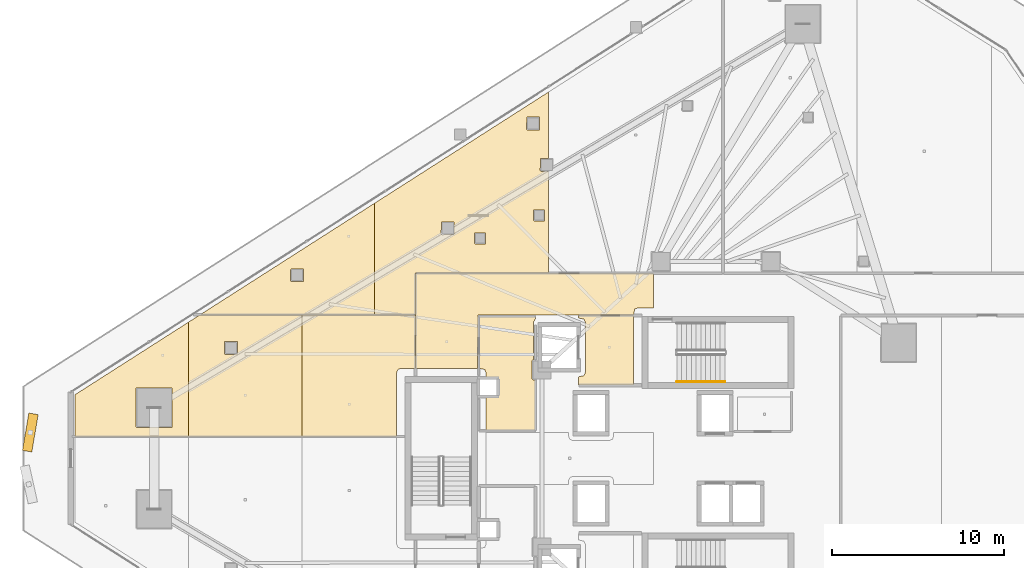
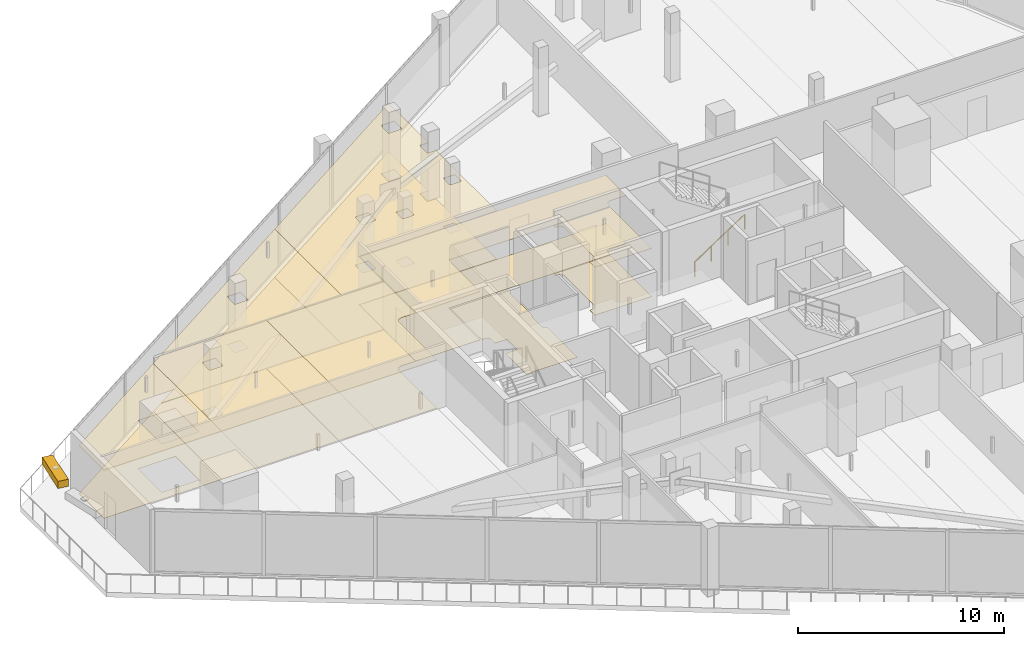
# One storey, part 43 of 45: 15 coverings, 1 railing, 1 shading device.
"""IFC4 building model written with IfcOpenShell, lengths in metres."""

from ifc_helpers import new_model, si_unit, direction, frame, origin, origin_2d, place, context, subcontext, project, spatial, polyline, rectangle, circle, outline, extrude, material, layer, layer_set, type_object, element, save


model = new_model("IFC4")

# Units and contexts
model_context = context("Model", 3, precision=1e-05, world=origin(), true_north=direction((0.0, 1.0)))
body_context = subcontext(model_context, "Body", "Model", "MODEL_VIEW")
ifc_project = project(units=[si_unit("LENGTHUNIT", "METRE"), si_unit("AREAUNIT", "SQUARE_METRE"), si_unit("VOLUMEUNIT", "CUBIC_METRE"), si_unit("PLANEANGLEUNIT", "RADIAN"), si_unit("MASSUNIT", "GRAM", prefix="KILO")], contexts=[model_context])

# Site, building, storey
site_placement = place(None, origin())
site = spatial("IfcSite", under=ifc_project, at=site_placement, CompositionType="ELEMENT")
building_placement = place(site_placement, origin())
building = spatial("IfcBuilding", under=site, at=building_placement, Name="Qorvath Tower", CompositionType="ELEMENT")
storey_placement = place(building_placement, frame((0.0, 0.0, 126.0)))
storey = spatial("IfcBuildingStorey", under=building, at=storey_placement, Name="L28", CompositionType="ELEMENT", Elevation=126.0)

# Coverings
ifc_material_1 = material(Name="Acoustic mineral fibre ceiling tile", Category="gypsum")
ifc_layer_1 = layer(ifc_material_1, 0.030029296875)
ifc_layer_set_1 = layer_set([ifc_layer_1], Name="COV-CEIL")
covering_type_1 = type_object("IfcCoveringType", Name="COV-CEIL", PredefinedType="CEILING", material=ifc_layer_set_1)
covering_1_placement = place(storey_placement, frame((0.0, 0.0, 2.85009765625)))
element("IfcCovering", 1, at=covering_1_placement, inside=storey, type_object=covering_type_1, Name="L28 Suspended Acoustic Ceiling 001", PredefinedType="CEILING", context=body_context, shape_type="SweptSolid", body=[
    extrude(outline(polyline([(-25.18994140625, 4.2548828125), (-25.18994140625, 8.294921875), (-28.375, 8.294921875), (-28.375, 8.159912109375), (-28.063232421875, 8.086669921875), (-27.989990234375, 7.909912109375), (-27.989990234375, 4.989990234375), (-28.063232421875, 4.813232421875), (-28.375, 4.739990234375), (-28.375, 4.2548828125), (-25.18994140625, 4.2548828125)])), origin(), (0.0, 0.0, 1.0), 0.030029296875),
])
covering_2_placement = place(storey_placement, frame((0.0, 0.0, 2.85009765625)))
element("IfcCovering", 2, at=covering_2_placement, inside=storey, type_object=covering_type_1, Name="L28 Suspended Acoustic Ceiling 007", PredefinedType="CEILING", context=body_context, shape_type="SweptSolid", body=[
    extrude(outline(polyline([(-24.02001953125, 8.75), (-24.02001953125, 10.7451171875), (-37.844970703125, 10.7451171875), (-37.844970703125, 5.239990234375), (-34.2509765625, 5.239990234375), (-34.219970703125, 8.324951171875), (-25.18994140625, 8.324951171875), (-25.11669921875, 8.6767578125), (-24.93994140625, 8.75), (-24.02001953125, 8.75)])), origin(), (0.0, 0.0, 1.0), 0.030029296875),
])
covering_3_placement = place(storey_placement, frame((0.0, 0.0, 2.85009765625)))
element("IfcCovering", 3, at=covering_3_placement, inside=storey, type_object=covering_type_1, Name="L28 Suspended Acoustic Ceiling 009", PredefinedType="CEILING", context=body_context, shape_type="SweptSolid", body=[
    extrude(outline(polyline([(-40.242431640625, 8.35498046875), (-40.242431640625, 14.824462890625), (-50.364990234375, 8.35498046875), (-40.242431640625, 8.35498046875)]), holes=[polyline([(-45.121337890625, 10.327392578125), (-45.103759765625, 11.019775390625), (-44.368896484375, 11.019775390625), (-44.368896484375, 10.284912109375), (-45.061279296875, 10.267333984375), (-45.121337890625, 10.327392578125)])]), origin(), (0.0, 0.0, 1.0), 0.030029296875),
])
covering_4_placement = place(storey_placement, frame((0.0, 0.0, 2.85009765625)))
element("IfcCovering", 4, at=covering_4_placement, inside=storey, type_object=covering_type_1, Name="L28 Suspended Acoustic Ceiling 010", PredefinedType="CEILING", context=body_context, shape_type="SweptSolid", body=[
    extrude(outline(polyline([(-30.1201171875, 10.762939453125), (-30.1201171875, 16.685546875), (-30.5498046875, 16.674560546875), (-30.60986328125, 16.734619140625), (-30.59228515625, 17.427001953125), (-30.1201171875, 17.427001953125), (-30.1201171875, 21.294189453125), (-40.242431640625, 14.824462890625), (-40.242431640625, 8.35498046875), (-37.863037109375, 8.35498046875), (-37.85791015625, 10.762939453125), (-30.1201171875, 10.762939453125)]), holes=[polyline([(-31.01220703125, 13.849365234375), (-30.99462890625, 14.441650390625), (-30.35986328125, 14.441650390625), (-30.35986328125, 13.806884765625), (-30.9521484375, 13.789306640625), (-31.01220703125, 13.849365234375)]), polyline([(-31.401123046875, 19.135498046875), (-31.383544921875, 19.827880859375), (-30.648681640625, 19.827880859375), (-30.648681640625, 19.093017578125), (-31.341064453125, 19.075439453125), (-31.401123046875, 19.135498046875)]), polyline([(-34.439208984375, 12.517578125), (-34.421630859375, 13.10986328125), (-33.786865234375, 13.10986328125), (-33.786865234375, 12.47509765625), (-34.379150390625, 12.45751953125), (-34.439208984375, 12.517578125)]), polyline([(-36.36572265625, 13.055908203125), (-36.34814453125, 13.748291015625), (-35.61328125, 13.748291015625), (-35.61328125, 13.013427734375), (-36.3056640625, 12.995849609375), (-36.36572265625, 13.055908203125)])]), origin(), (0.0, 0.0, 1.0), 0.030029296875),
])
covering_5_placement = place(storey_placement, frame((0.0, 0.0, 2.85009765625)))
element("IfcCovering", 5, at=covering_5_placement, inside=storey, type_object=covering_type_1, Name="L28 Suspended Acoustic Ceiling 031", PredefinedType="CEILING", context=body_context, shape_type="SweptSolid", body=[
    extrude(outline(polyline([(-51.043701171875, 1.28515625), (-51.043701171875, 7.921142578125), (-57.634033203125, 3.708984375), (-57.634033203125, 1.285400390625), (-51.043701171875, 1.28515625)]), holes=[polyline([(-54.109375, 1.850830078125), (-54.091796875, 4.09326171875), (-52.007080078125, 4.09326171875), (-52.007080078125, 1.808349609375), (-54.04931640625, 1.790771484375), (-54.109375, 1.850830078125)])]), origin(), (0.0, 0.0, 1.0), 0.030029296875),
])
covering_6_placement = place(storey_placement, frame((0.0, 0.0, 2.85009765625)))
element("IfcCovering", 6, at=covering_6_placement, inside=storey, type_object=covering_type_1, Name="L28 Suspended Acoustic Ceiling 032", PredefinedType="CEILING", context=body_context, shape_type="SweptSolid", body=[
    extrude(outline(polyline([(-44.453369140625, 1.284912109375), (-44.453369140625, 8.3369140625), (-50.39306640625, 8.3369140625), (-51.043701171875, 7.921142578125), (-51.043701171875, 1.28515625), (-44.453369140625, 1.284912109375)]), holes=[polyline([(-48.96337890625, 6.099609375), (-48.94580078125, 6.7919921875), (-48.2109375, 6.7919921875), (-48.2109375, 6.05712890625), (-48.9033203125, 6.03955078125), (-48.96337890625, 6.099609375)])]), origin(), (0.0, 0.0, 1.0), 0.030029296875),
])
covering_7_placement = place(storey_placement, frame((0.0, 0.0, 2.85009765625)))
element("IfcCovering", 7, at=covering_7_placement, inside=storey, type_object=covering_type_1, Name="L28 Suspended Acoustic Ceiling 033", PredefinedType="CEILING", context=body_context, shape_type="SweptSolid", body=[
    extrude(outline(polyline([(-37.863037109375, 5.239990234375), (-37.863037109375, 8.3369140625), (-44.453369140625, 8.3369140625), (-44.453369140625, 1.284912109375), (-38.949951171875, 1.28466796875), (-38.949951171875, 4.989990234375), (-38.876708984375, 5.166748046875), (-38.699951171875, 5.239990234375), (-37.863037109375, 5.239990234375)])), origin(), (0.0, 0.0, 1.0), 0.030029296875),
])
ifc_material_2 = material(Name="Low-VOC modular carpet tile", Category="textile")
ifc_layer_2 = layer(ifc_material_2, 0.014892578125)
ifc_layer_set_2 = layer_set([ifc_layer_2], Name="COV-FLOOR-CPT")
covering_type_2 = type_object("IfcCoveringType", Name="COV-FLOOR-CPT", PredefinedType="FLOORING", material=ifc_layer_set_2)
covering_8_placement = place(storey_placement, origin())
element("IfcCovering", 8, at=covering_8_placement, inside=storey, type_object=covering_type_2, Name="L28 Floor Finish 009", PredefinedType="FLOORING", context=body_context, shape_type="SweptSolid", body=[
    extrude(outline(polyline([(-40.242431640625, 8.35498046875), (-40.242431640625, 14.824462890625), (-50.364990234375, 8.35498046875), (-40.242431640625, 8.35498046875)]), holes=[polyline([(-45.121337890625, 10.327392578125), (-45.103759765625, 11.019775390625), (-44.368896484375, 11.019775390625), (-44.368896484375, 10.284912109375), (-45.061279296875, 10.267333984375), (-45.121337890625, 10.327392578125)])]), origin(), (0.0, 0.0, 1.0), 0.014892578125),
])
covering_9_placement = place(storey_placement, origin())
element("IfcCovering", 9, at=covering_9_placement, inside=storey, type_object=covering_type_2, Name="L28 Floor Finish 010", PredefinedType="FLOORING", context=body_context, shape_type="SweptSolid", body=[
    extrude(outline(polyline([(-30.1201171875, 10.762939453125), (-30.1201171875, 16.685546875), (-30.5498046875, 16.674560546875), (-30.60986328125, 16.734619140625), (-30.59228515625, 17.427001953125), (-30.1201171875, 17.427001953125), (-30.1201171875, 21.294189453125), (-40.242431640625, 14.824462890625), (-40.242431640625, 8.35498046875), (-37.863037109375, 8.35498046875), (-37.85791015625, 10.762939453125), (-30.1201171875, 10.762939453125)]), holes=[polyline([(-31.01220703125, 13.849365234375), (-30.99462890625, 14.441650390625), (-30.35986328125, 14.441650390625), (-30.35986328125, 13.806884765625), (-30.9521484375, 13.789306640625), (-31.01220703125, 13.849365234375)]), polyline([(-31.401123046875, 19.135498046875), (-31.383544921875, 19.827880859375), (-30.648681640625, 19.827880859375), (-30.648681640625, 19.093017578125), (-31.341064453125, 19.075439453125), (-31.401123046875, 19.135498046875)]), polyline([(-34.439208984375, 12.517578125), (-34.421630859375, 13.10986328125), (-33.786865234375, 13.10986328125), (-33.786865234375, 12.47509765625), (-34.379150390625, 12.45751953125), (-34.439208984375, 12.517578125)]), polyline([(-36.36572265625, 13.055908203125), (-36.34814453125, 13.748291015625), (-35.61328125, 13.748291015625), (-35.61328125, 13.013427734375), (-36.3056640625, 12.995849609375), (-36.36572265625, 13.055908203125)])]), origin(), (0.0, 0.0, 1.0), 0.014892578125),
])
covering_10_placement = place(storey_placement, origin())
element("IfcCovering", 10, at=covering_10_placement, inside=storey, type_object=covering_type_2, Name="L28 Floor Finish 031", PredefinedType="FLOORING", context=body_context, shape_type="SweptSolid", body=[
    extrude(outline(polyline([(-51.043701171875, 1.28515625), (-51.043701171875, 7.921142578125), (-57.634033203125, 3.708984375), (-57.634033203125, 1.285400390625), (-51.043701171875, 1.28515625)]), holes=[polyline([(-54.109375, 1.850830078125), (-54.091796875, 4.09326171875), (-52.007080078125, 4.09326171875), (-52.007080078125, 1.808349609375), (-54.04931640625, 1.790771484375), (-54.109375, 1.850830078125)])]), origin(), (0.0, 0.0, 1.0), 0.014892578125),
])
covering_11_placement = place(storey_placement, origin())
element("IfcCovering", 11, at=covering_11_placement, inside=storey, type_object=covering_type_2, Name="L28 Floor Finish 032", PredefinedType="FLOORING", context=body_context, shape_type="SweptSolid", body=[
    extrude(outline(polyline([(-44.453369140625, 1.284912109375), (-44.453369140625, 8.3369140625), (-50.39306640625, 8.3369140625), (-51.043701171875, 7.921142578125), (-51.043701171875, 1.28515625), (-44.453369140625, 1.284912109375)]), holes=[polyline([(-48.96337890625, 6.099609375), (-48.94580078125, 6.7919921875), (-48.2109375, 6.7919921875), (-48.2109375, 6.05712890625), (-48.9033203125, 6.03955078125), (-48.96337890625, 6.099609375)])]), origin(), (0.0, 0.0, 1.0), 0.014892578125),
])
covering_12_placement = place(storey_placement, origin())
element("IfcCovering", 12, at=covering_12_placement, inside=storey, type_object=covering_type_2, Name="L28 Floor Finish 033", PredefinedType="FLOORING", context=body_context, shape_type="SweptSolid", body=[
    extrude(outline(polyline([(-37.863037109375, 5.239990234375), (-37.863037109375, 8.3369140625), (-44.453369140625, 8.3369140625), (-44.453369140625, 1.284912109375), (-38.949951171875, 1.28466796875), (-38.949951171875, 4.989990234375), (-38.876708984375, 5.166748046875), (-38.699951171875, 5.239990234375), (-37.863037109375, 5.239990234375)])), origin(), (0.0, 0.0, 1.0), 0.014892578125),
])
ifc_material_3 = material(Name="Polished epoxy terrazzo flooring", Category="concrete")
ifc_layer_3 = layer(ifc_material_3, 0.02001953125)
ifc_layer_set_3 = layer_set([ifc_layer_3], Name="COV-FLOOR-TRZ")
covering_type_3 = type_object("IfcCoveringType", Name="COV-FLOOR-TRZ", PredefinedType="FLOORING", material=ifc_layer_set_3)
covering_13_placement = place(storey_placement, origin())
element("IfcCovering", 13, at=covering_13_placement, inside=storey, type_object=covering_type_3, Name="L28 Floor Finish 001", PredefinedType="FLOORING", context=body_context, shape_type="SweptSolid", body=[
    extrude(outline(polyline([(-25.18994140625, 4.2548828125), (-25.18994140625, 8.294921875), (-28.375, 8.294921875), (-28.375, 8.159912109375), (-28.063232421875, 8.086669921875), (-27.989990234375, 7.909912109375), (-27.989990234375, 4.989990234375), (-28.063232421875, 4.813232421875), (-28.375, 4.739990234375), (-28.375, 4.2548828125), (-25.18994140625, 4.2548828125)])), origin(), (0.0, 0.0, 1.0), 0.014892578125),
])
covering_14_placement = place(storey_placement, origin())
element("IfcCovering", 14, at=covering_14_placement, inside=storey, type_object=covering_type_3, Name="L28 Floor Finish 004", PredefinedType="FLOORING", context=body_context, shape_type="SweptSolid", body=[
    extrude(outline(polyline([(-30.885009765625, 8.2451171875), (-34.175048828125, 8.2451171875), (-34.175048828125, 5.239990234375), (-33.833251953125, 5.166748046875), (-33.760009765625, 4.989990234375), (-33.760009765625, 4.633056640625), (-33.0869140625, 4.6279296875), (-33.08837890625, 3.638427734375), (-33.760009765625, 3.636962890625), (-33.760009765625, 1.60498046875), (-30.885009765625, 1.60498046875), (-30.885009765625, 4.56494140625), (-31.02490234375, 4.56494140625), (-31.0849609375, 4.625), (-31.0849609375, 5.675048828125), (-31.010009765625, 5.735107421875), (-31.010009765625, 7.909912109375), (-30.885009765625, 8.108154296875), (-30.885009765625, 8.2451171875)])), origin(), (0.0, 0.0, 1.0), 0.014892578125),
])
covering_15_placement = place(storey_placement, origin())
element("IfcCovering", 15, at=covering_15_placement, inside=storey, type_object=covering_type_3, Name="L28 Floor Finish 007", PredefinedType="FLOORING", context=body_context, shape_type="SweptSolid", body=[
    extrude(outline(polyline([(-24.02001953125, 8.75), (-24.02001953125, 10.7451171875), (-37.844970703125, 10.7451171875), (-37.844970703125, 5.239990234375), (-34.2509765625, 5.239990234375), (-34.219970703125, 8.324951171875), (-25.18994140625, 8.324951171875), (-25.11669921875, 8.6767578125), (-24.93994140625, 8.75), (-24.02001953125, 8.75)])), origin(), (0.0, 0.0, 1.0), 0.014892578125),
])

# Railing
ifc_material_4 = material(Name="Brushed stainless steel AISI 304", Category="steel")
railing_type = type_object("IfcRailingType", Name="RL-STR-HND", PredefinedType="HANDRAIL", material=ifc_material_4)
railing_placement = place(storey_placement, frame((-22.669921875, 4.449951171875, 0.18408203125)))
element("IfcRailing", 16, at=railing_placement, inside=storey, type_object=railing_type, Name="L28 TS1 stair handrail 1", PredefinedType="HANDRAIL", context=body_context, shape_type="SweptSolid", body=[
    extrude(circle(Radius=0.02392578125, at=origin_2d()), frame((0.0, 0.0, 0.8759765625), z_axis=(0.835575518608, 0.0, 0.549375602573), x_axis=(0.0, 1.0, 0.0)), (0.0, 0.0, 1.0), 3.350830078125),
    extrude(circle(Radius=0.02099609375, at=origin_2d()), origin(), (0.0, 0.0, 1.0), 0.851806640625),
    extrude(circle(Radius=0.02099609375, at=origin_2d()), frame((0.933349609375, 0.0, 0.613525390625)), (0.0, 0.0, 1.0), 0.851806640625),
    extrude(circle(Radius=0.02099609375, at=origin_2d()), frame((1.866455078125, 0.0, 1.227294921875)), (0.0, 0.0, 1.0), 0.851806640625),
    extrude(circle(Radius=0.02099609375, at=origin_2d()), frame((2.7998046875, 0.0, 1.8408203125)), (0.0, 0.0, 1.0), 0.851806640625),
])

# Shading device
ifc_material_5 = material(Name="Anodised bronze-champagne aluminium", Category="aluminium")
shading_device_type = type_object("IfcShadingDeviceType", Name="SD-LOUVRE", PredefinedType="JALOUSIE", material=ifc_material_5)
shading_device_placement = place(storey_placement, frame((-60.2392578125, 1.505615234375, 3.35009765625), z_axis=(0.0, 0.0, 1.0), x_axis=(-0.167371026267, -0.985893979881, 0.0)))
element("IfcShadingDevice", 17, at=shading_device_placement, inside=storey, type_object=shading_device_type, Name="Sinusoidal Wave Louvre Blade L28-01", PredefinedType="NOTDEFINED", context=body_context, shape_type="SweptSolid", body=[
    extrude(rectangle(XDim=2.199951171875, YDim=0.550048828125, at=origin_2d()), origin(), (0.0, 0.0, 1.0), 0.419921875),
])

save(model, "model.ifc")
